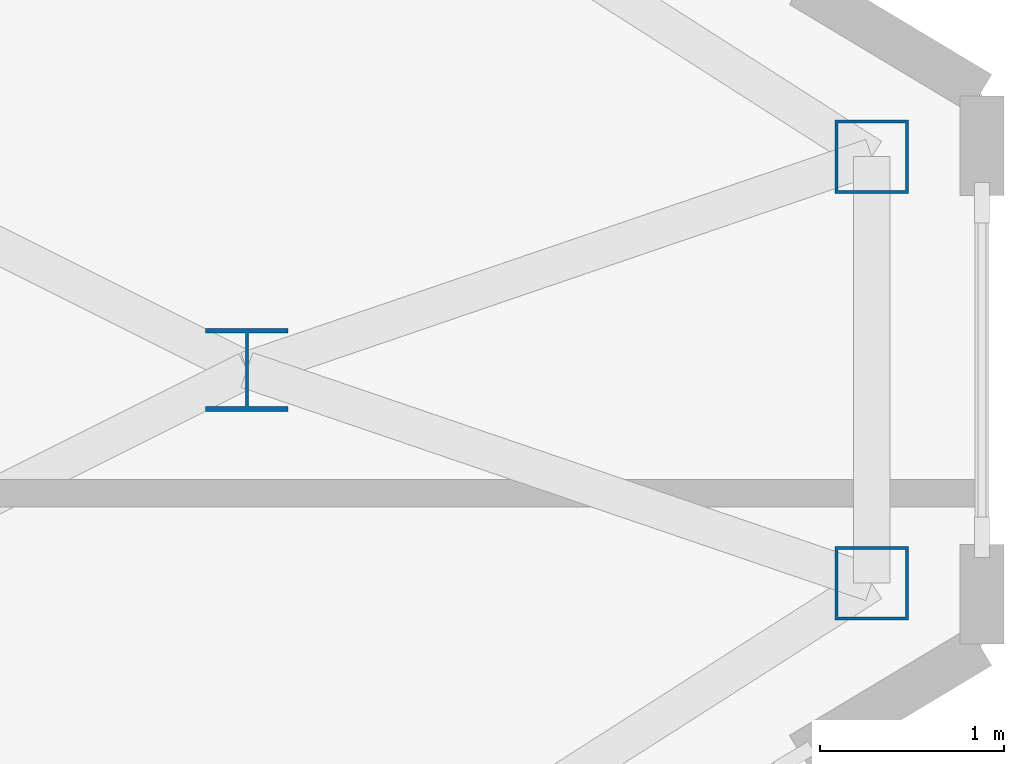
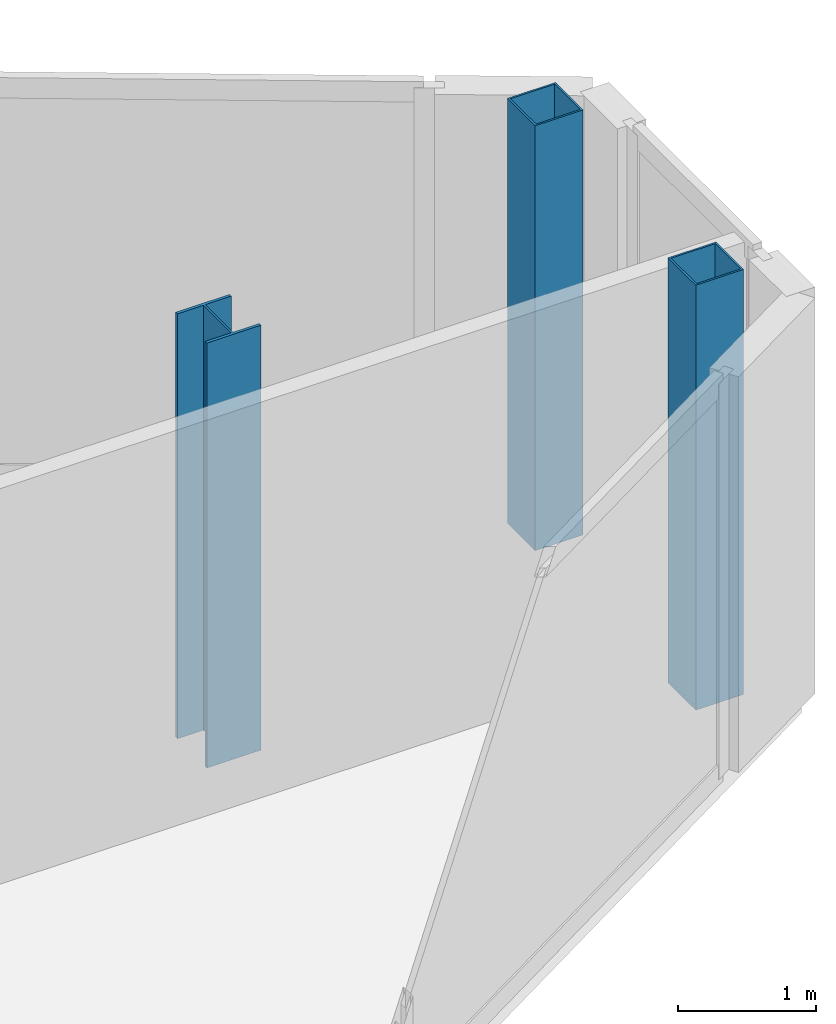
# One storey, part 7 of 28: 3 columns.
"""IFC4 building model written with IfcOpenShell, lengths in metres."""

from ifc_helpers import new_model, si_unit, direction, frame, origin, origin_2d, place, context, subcontext, project, spatial, hollow_rectangle, i_section, extrude, source, transform, mapped, material, material_profile, profile_set, type_object, type_shapes, element, save


model = new_model("IFC4")

# Units and contexts
model_context = context("Model", 3, precision=1e-05, world=origin(), true_north=direction((0.0, 1.0)))
body_context = subcontext(model_context, "Body", "Model", "MODEL_VIEW")
ifc_project = project(units=[si_unit("LENGTHUNIT", "METRE"), si_unit("AREAUNIT", "SQUARE_METRE"), si_unit("VOLUMEUNIT", "CUBIC_METRE"), si_unit("PLANEANGLEUNIT", "RADIAN"), si_unit("MASSUNIT", "GRAM", prefix="KILO")], contexts=[model_context])

# Site, building, storey
site_placement = place(None, origin())
site = spatial("IfcSite", under=ifc_project, at=site_placement, CompositionType="ELEMENT")
building_placement = place(site_placement, origin())
building = spatial("IfcBuilding", under=site, at=building_placement, Name="Seokmaru Belvedere", CompositionType="ELEMENT")
storey_placement = place(building_placement, frame((0.0, 0.0, 265.64990234375)))
storey = spatial("IfcBuildingStorey", under=building, at=storey_placement, Name="L70", CompositionType="ELEMENT", Elevation=265.64990234375)

# Columns
ifc_material = material(Name="Steel SM355 (355 MPa)", Category="steel")
ifc_material_profile_1 = material_profile(ifc_material, i_section(OverallWidth=0.449951171875, OverallDepth=0.449951171875, WebThickness=0.01611328125, FlangeThickness=0.02490234375, at=origin_2d()), Name="H-450x450x16x25")
ifc_profile_set_1 = profile_set([ifc_material_profile_1], Name="Steel SM355 (355 MPa)")
column_type_1 = type_object("IfcColumnType", Name="Sky-Gate Column H-450", PredefinedType="COLUMN", material=ifc_profile_set_1)
shared_shape_1 = source(origin(), body_context, "Body", "SweptSolid", [
    extrude(i_section(OverallWidth=0.449951171875, OverallDepth=0.449951171875, WebThickness=0.01611328125, FlangeThickness=0.02490234375, at=origin_2d()), origin(), (0.0, 0.0, 1.0), 3.75),
])
type_shapes(column_type_1, [shared_shape_1])
column_placement = place(storey_placement, frame((63.5, 0.0, 0.0), z_axis=(0.0, 0.0, 1.0), x_axis=(1.0, 0.0, 0.0)))
element("IfcColumn", 1, at=column_placement, inside=storey, type_object=column_type_1, Name="L70 Column EG3P_1", PredefinedType="COLUMN", context=body_context, shape_type="MappedRepresentation", body=[
    mapped(shared_shape_1, transform((0.0, 0.0, 0.0), scale=1.0)),
])
ifc_material_profile_2 = material_profile(ifc_material, hollow_rectangle(XDim=0.39990234375, YDim=0.39990234375, WallThickness=0.01611328125, at=origin_2d()), Name="HSS-400x400x16")
ifc_profile_set_2 = profile_set([ifc_material_profile_2], Name="Steel SM355 (355 MPa)")
column_type_2 = type_object("IfcColumnType", Name="Perimeter Facet Column HSS-400", PredefinedType="COLUMN", material=ifc_profile_set_2)
shared_shape_2 = source(origin(), body_context, "Body", "SweptSolid", [
    extrude(hollow_rectangle(XDim=0.39990234375, YDim=0.39990234375, WallThickness=0.01611328125, at=origin_2d()), origin(), (0.0, 0.0, 1.0), 3.75),
])
type_shapes(column_type_2, [shared_shape_2])
for number, where, z_axis, x_axis, name in (
    (2, (66.89990234375, -1.160400390625, 0.0), (0.0, 0.0, 1.0), (1.0, 0.0, 0.0), "L70 Column EF2"),
    (3, (66.89990234375, 1.160400390625, 0.0), (0.0, 0.0, 1.0), (1.0, 0.0, 0.0), "L70 Column EF3"),
):
    element("IfcColumn", number, at=place(storey_placement, frame(where, z_axis=z_axis, x_axis=x_axis)), inside=storey, type_object=column_type_2, Name=name, PredefinedType="COLUMN", context=body_context, shape_type="MappedRepresentation", body=[
        mapped(shared_shape_2, transform((0.0, 0.0, 0.0), scale=1.0)),
    ])

save(model, "model.ifc")
